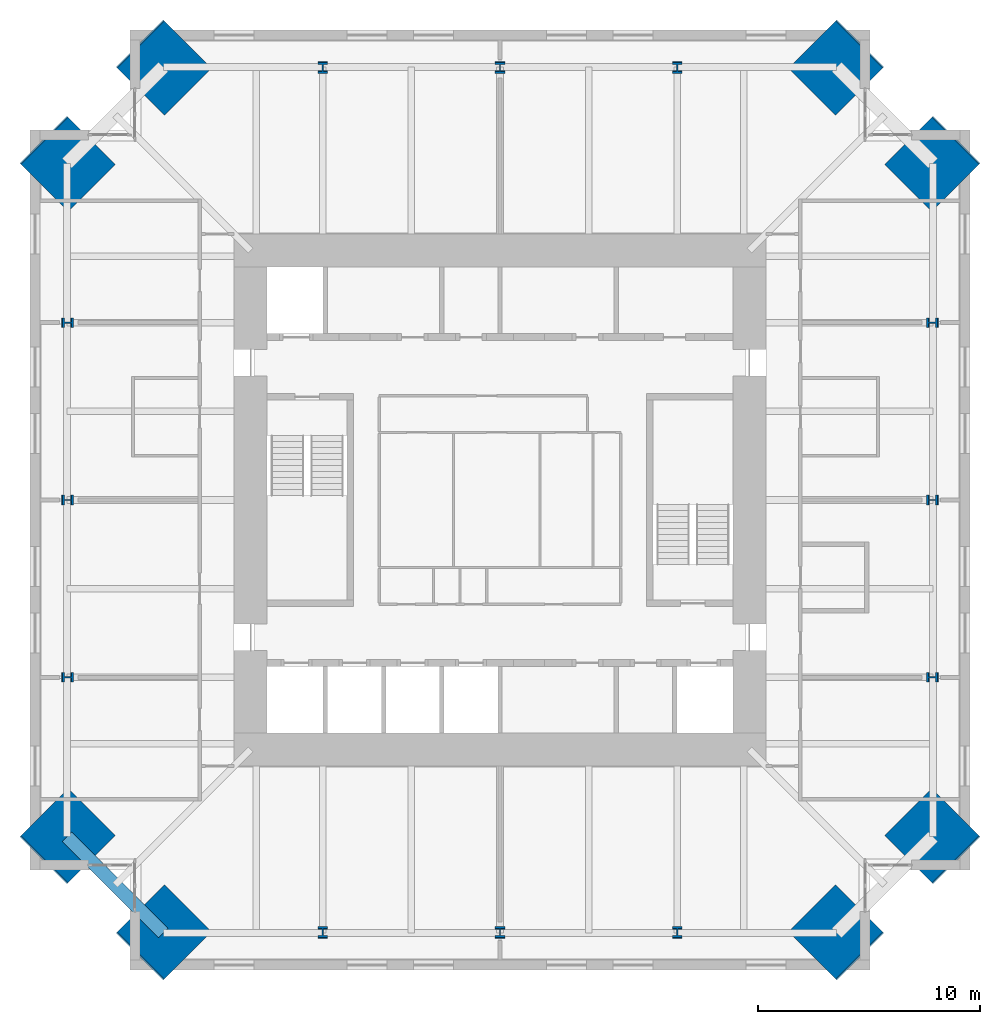
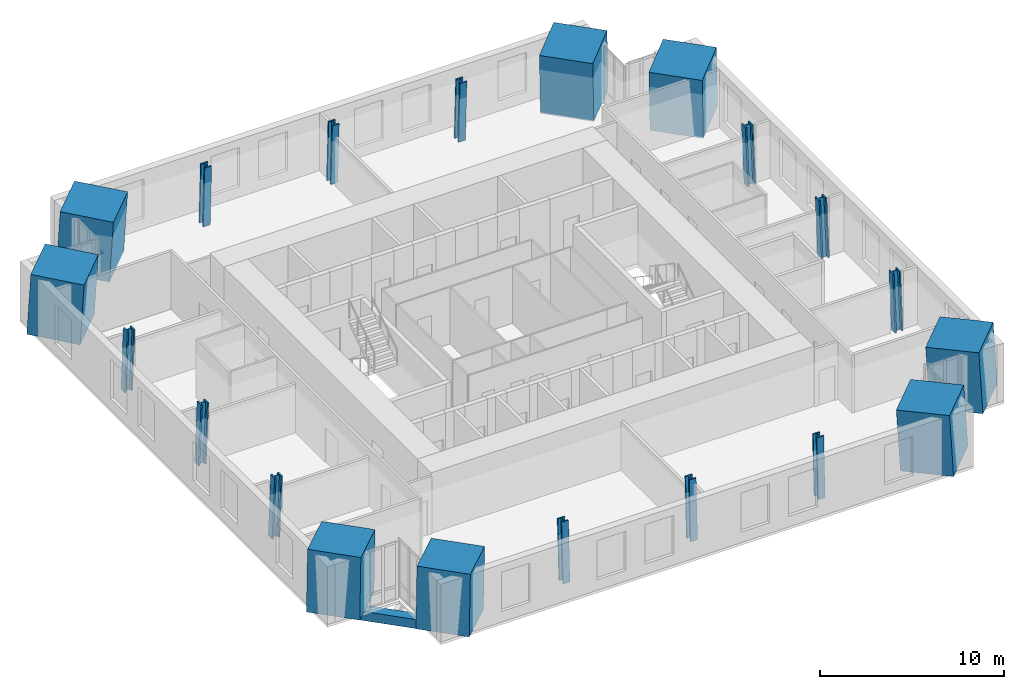
# One storey, part 1 of 15: 20 columns, 1 beam.
"""IFC4 building model written with IfcOpenShell, lengths in metres."""

from ifc_helpers import new_model, si_unit, direction, frame, origin, origin_2d, place, context, subcontext, project, spatial, rectangle, hollow_rectangle, i_section, extrude, material, material_profile, profile_set, type_object, element, save


model = new_model("IFC4")

# Units and contexts
model_context = context("Model", 3, precision=1e-05, world=origin(), true_north=direction((0.0, 1.0)))
body_context = subcontext(model_context, "Body", "Model", "MODEL_VIEW")
ifc_project = project(units=[si_unit("LENGTHUNIT", "METRE"), si_unit("AREAUNIT", "SQUARE_METRE"), si_unit("VOLUMEUNIT", "CUBIC_METRE"), si_unit("PLANEANGLEUNIT", "RADIAN"), si_unit("MASSUNIT", "GRAM", prefix="KILO")], contexts=[model_context])

# Site, building, storey
site_placement = place(None, origin())
site = spatial("IfcSite", under=ifc_project, at=site_placement, CompositionType="ELEMENT")
building_placement = place(site_placement, origin())
building = spatial("IfcBuilding", under=site, at=building_placement, Name="Peilmerk Tower", CompositionType="ELEMENT")
storey_placement = place(building_placement, frame((0.0, 0.0, 281.800048828125)))
storey = spatial("IfcBuildingStorey", under=building, at=storey_placement, Name="L63", CompositionType="ELEMENT", Elevation=281.800048828125)

# Columns
ifc_material_1 = material(Name="Concrete C90/105", Category="concrete")
ifc_material_profile_1 = material_profile(ifc_material_1, rectangle(XDim=3.0, YDim=3.0, at=origin_2d()), Name="RC 3000x3000")
ifc_profile_set_1 = profile_set([ifc_material_profile_1], Name="Concrete C90/105")
column_type_1 = type_object("IfcColumnType", Name="MC3 3000x3000 encased mega column", PredefinedType="COLUMN", material=ifc_profile_set_1)
for number, where, z_axis, x_axis, name in (
    (1, (15.183837890625, 19.533935546875, 0.0), (-0.040278731567, -0.040278731567, 0.998376305592), (0.707106781187, -0.707106781187, 0.0), "Mega column MC3 NE_N L63"),
    (2, (19.533935546875, 15.183837890625, 0.0), (-0.040278731567, -0.040278731567, 0.998376305592), (0.707106781187, -0.707106781187, 0.0), "Mega column MC3 NE_E L63"),
    (3, (19.533935546875, -15.183837890625, 0.0), (-0.040278731567, 0.040278731567, 0.998376305592), (-0.707106781187, -0.707106781187, 0.0), "Mega column MC3 SE_E L63"),
    (4, (15.183837890625, -19.533935546875, 0.0), (-0.040278731567, 0.040278731567, 0.998376305592), (-0.707106781187, -0.707106781187, 0.0), "Mega column MC3 SE_S L63"),
    (5, (-15.183837890625, -19.533935546875, 0.0), (0.040278731567, 0.040278731567, 0.998376305592), (-0.707106781187, 0.707106781187, 0.0), "Mega column MC3 SW_S L63"),
    (6, (-19.533935546875, -15.183837890625, 0.0), (0.040278731567, 0.040278731567, 0.998376305592), (-0.707106781187, 0.707106781187, 0.0), "Mega column MC3 SW_W L63"),
    (7, (-19.533935546875, 15.183837890625, 0.0), (0.040278731567, -0.040278731567, 0.998376305592), (0.707106781187, 0.707106781187, 0.0), "Mega column MC3 NW_W L63"),
    (8, (-15.183837890625, 19.533935546875, 0.0), (0.040278731567, -0.040278731567, 0.998376305592), (0.707106781187, 0.707106781187, 0.0), "Mega column MC3 NW_N L63"),
):
    element("IfcColumn", number, at=place(storey_placement, frame(where, z_axis=z_axis, x_axis=x_axis)), inside=storey, type_object=column_type_1, Name=name, PredefinedType="COLUMN", context=body_context, shape_type="SweptSolid", body=[
        extrude(rectangle(XDim=3.0, YDim=3.0, at=origin_2d()), origin(), (0.0, 0.0, 1.0), 4.006591796875),
    ])
ifc_material_2 = material(Name="Steel S460", Category="steel")
ifc_material_profile_2 = material_profile(ifc_material_2, i_section(OverallWidth=0.431884765625, OverallDepth=0.498046875, WebThickness=0.0556640625, FlangeThickness=0.0888671875, at=origin_2d()), Name="HD 400x744")
ifc_profile_set_2 = profile_set([ifc_material_profile_2], Name="Steel S460")
column_type_2 = type_object("IfcColumnType", Name="SC7 HD 400x744 perimeter column", PredefinedType="COLUMN", material=ifc_profile_set_2)
for number, where, z_axis, x_axis, name in (
    (9, (0.0, 19.533935546875, 0.0), (0.0, -0.040311445006, 0.999187163349), (1.0, 0.0, 0.0), "Perimeter column N+0 L63"),
    (10, (8.0, 19.533935546875, 0.0), (0.0, -0.040311445006, 0.999187163349), (1.0, 0.0, 0.0), "Perimeter column N-8 L63"),
    (11, (-8.0, 19.533935546875, 0.0), (0.0, -0.040311445006, 0.999187163349), (1.0, 0.0, 0.0), "Perimeter column N+8 L63"),
    (12, (19.533935546875, 0.0, 0.0), (-0.040311445006, 0.0, 0.999187163349), (0.0, -1.0, 0.0), "Perimeter column E+0 L63"),
    (13, (19.533935546875, -8.0, 0.0), (-0.040311445006, 0.0, 0.999187163349), (0.0, -1.0, 0.0), "Perimeter column E-8 L63"),
    (14, (19.533935546875, 8.0, 0.0), (-0.040311445006, 0.0, 0.999187163349), (0.0, -1.0, 0.0), "Perimeter column E+8 L63"),
    (15, (0.0, -19.533935546875, 0.0), (0.0, 0.040311445006, 0.999187163349), (-1.0, 0.0, 0.0), "Perimeter column S+0 L63"),
    (16, (-8.0, -19.533935546875, 0.0), (0.0, 0.040311445006, 0.999187163349), (-1.0, 0.0, 0.0), "Perimeter column S-8 L63"),
    (17, (8.0, -19.533935546875, 0.0), (0.0, 0.040311445006, 0.999187163349), (-1.0, 0.0, 0.0), "Perimeter column S+8 L63"),
    (18, (-19.533935546875, 0.0, 0.0), (0.040311445006, 0.0, 0.999187163349), (0.0, 1.0, 0.0), "Perimeter column W+0 L63"),
    (19, (-19.533935546875, 8.0, 0.0), (0.040311445006, 0.0, 0.999187163349), (0.0, 1.0, 0.0), "Perimeter column W-8 L63"),
    (20, (-19.533935546875, -8.0, 0.0), (0.040311445006, 0.0, 0.999187163349), (0.0, 1.0, 0.0), "Perimeter column W+8 L63"),
):
    element("IfcColumn", number, at=place(storey_placement, frame(where, z_axis=z_axis, x_axis=x_axis)), inside=storey, type_object=column_type_2, Name=name, PredefinedType="COLUMN", context=body_context, shape_type="SweptSolid", body=[
        extrude(i_section(OverallWidth=0.431884765625, OverallDepth=0.498046875, WebThickness=0.0556640625, FlangeThickness=0.0888671875, at=origin_2d()), origin(), (0.0, 0.0, 1.0), 4.003173828125),
    ])

# Beam
ifc_material_profile_3 = material_profile(ifc_material_2, hollow_rectangle(XDim=0.60009765625, YDim=0.60009765625, WallThickness=0.06005859375, at=origin_2d()), Name="BOX 600x600x60")
ifc_profile_set_3 = profile_set([ifc_material_profile_3], Name="Steel S460")
beam_type = type_object("IfcBeamType", Name="B20 BOX 600x600x60 notch beam", PredefinedType="SPANDREL", material=ifc_profile_set_3)
beam_placement = place(storey_placement, frame((-15.183837890625, -19.533935546875, -0.469970703125), z_axis=(-0.707106781187, 0.707106781187, 0.0), x_axis=(-0.707106781187, -0.707106781187, 0.0)))
element("IfcBeam", 21, at=beam_placement, inside=storey, type_object=beam_type, Name="Notch beam L63", PredefinedType="SPANDREL", context=body_context, shape_type="SweptSolid", body=[
    extrude(hollow_rectangle(XDim=0.60009765625, YDim=0.60009765625, WallThickness=0.06005859375, at=origin_2d()), origin(), (0.0, 0.0, 1.0), 6.15185546875),
])

save(model, "model.ifc")
